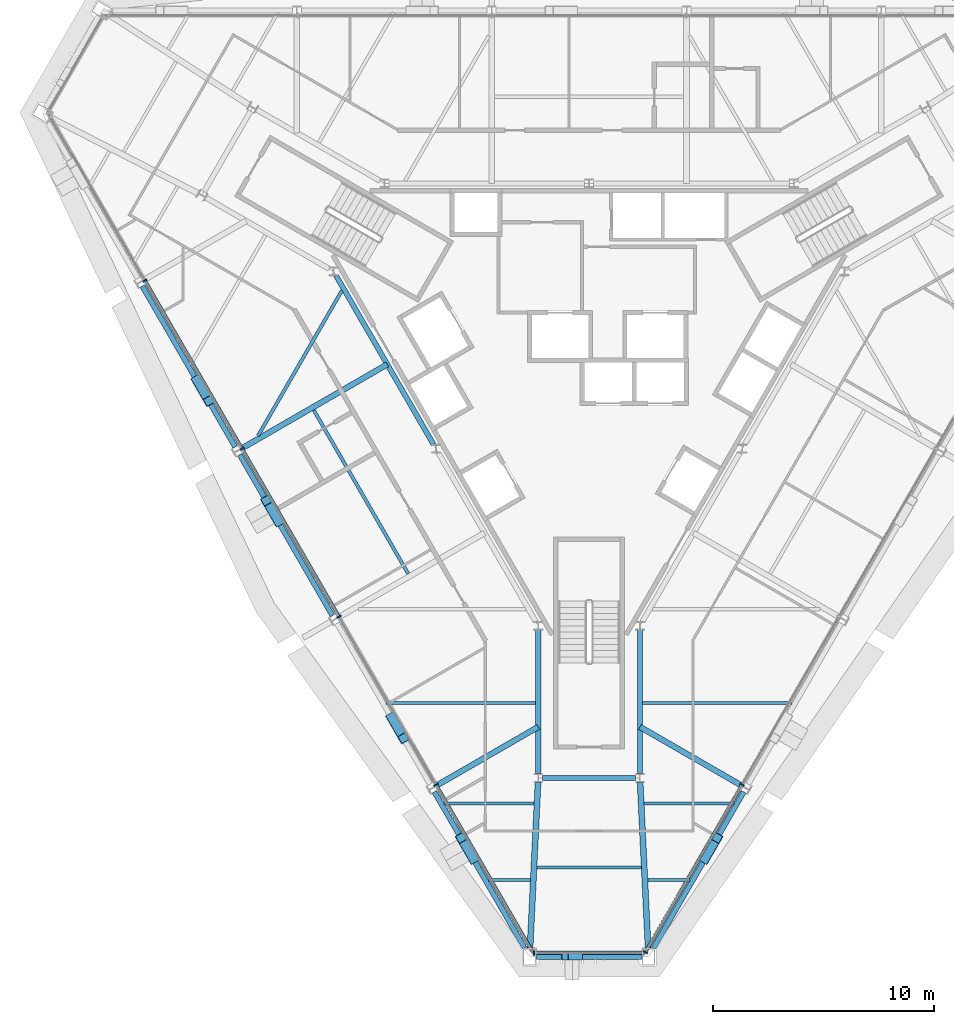
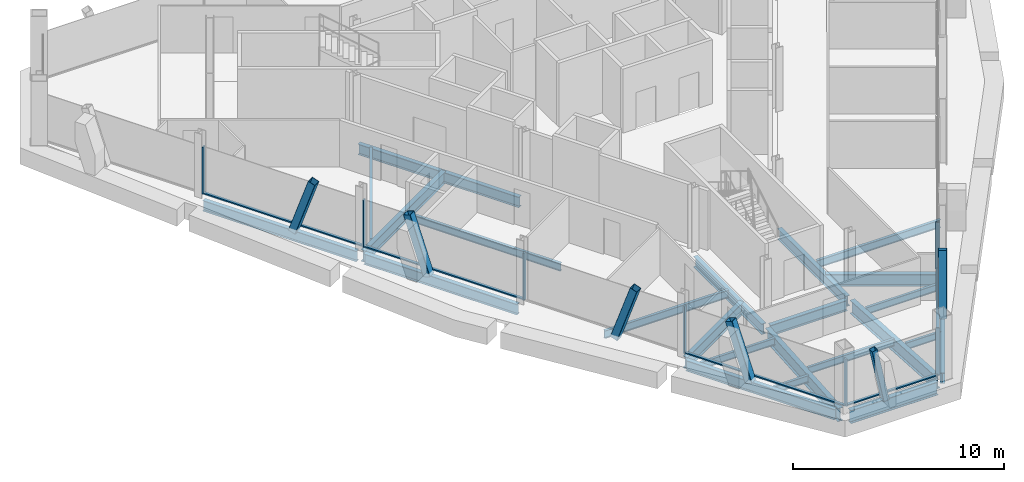
# One storey, part 3 of 14: 23 beams, 18 members, 3 elements without a shape of their own.
"""IFC4 building model written with IfcOpenShell, lengths in metres."""

from ifc_helpers import new_model, si_unit, direction, frame, origin, origin_2d, place, context, subcontext, project, spatial, rectangle, hollow_rectangle, i_section, extrude, material, material_profile, profile_set, type_object, element, aggregate, save


model = new_model("IFC4")

# Units and contexts
model_context = context("Model", 3, precision=1e-05, world=origin(), true_north=direction((0.0, 1.0)))
body_context = subcontext(model_context, "Body", "Model", "MODEL_VIEW")
ifc_project = project(units=[si_unit("LENGTHUNIT", "METRE"), si_unit("AREAUNIT", "SQUARE_METRE"), si_unit("VOLUMEUNIT", "CUBIC_METRE"), si_unit("PLANEANGLEUNIT", "RADIAN"), si_unit("MASSUNIT", "GRAM", prefix="KILO")], contexts=[model_context])

# Site, building, storey
site_placement = place(None, origin())
site = spatial("IfcSite", under=ifc_project, at=site_placement, CompositionType="ELEMENT")
building_placement = place(site_placement, origin())
building = spatial("IfcBuilding", under=site, at=building_placement, Name="Verrane Prism Tower", CompositionType="ELEMENT")
storey_placement = place(building_placement, frame((0.0, 0.0, 221.199951171875)))
storey = spatial("IfcBuildingStorey", under=building, at=storey_placement, Name="L55", CompositionType="ELEMENT", Elevation=221.199951171875)

# Member
ifc_material_1 = material(Name="Steel A500 Grade C", Category="steel")
ifc_material_profile_1 = material_profile(ifc_material_1, hollow_rectangle(XDim=0.3046875, YDim=0.3046875, WallThickness=0.0126953125, InnerFilletRadius=0.00634765625, OuterFilletRadius=0.01904296875, at=origin_2d()), Name="HSS12x12x1/2")
ifc_profile_set_1 = profile_set([ifc_material_profile_1], Name="Steel A500 Grade C")
member_type_1 = type_object("IfcMemberType", Name="Chamfer brace HSS12x12x1/2", PredefinedType="BRACE", material=ifc_profile_set_1)
member_1_placement = place(storey_placement, frame((-0.44580078125, -26.989990234375, -0.242431640625), z_axis=(-0.203343050417, 0.0, 0.97910755479), x_axis=(0.0, -1.0, 0.0)))
element("IfcMember", 1, at=member_1_placement, inside=storey, type_object=member_type_1, Name="Chamfer brace S0 L55", PredefinedType="BRACE", context=body_context, shape_type="SweptSolid", body=[
    extrude(hollow_rectangle(XDim=0.3046875, YDim=0.3046875, WallThickness=0.0126953125, InnerFilletRadius=0.00634765625, OuterFilletRadius=0.01904296875, at=origin_2d()), origin(), (0.0, 0.0, 1.0), 3.174560546875),
])

# Beams
ifc_material_2 = material(Name="Steel A992", Category="steel")
ifc_material_profile_2 = material_profile(ifc_material_2, i_section(OverallWidth=0.2666015625, OverallDepth=0.7568359375, WebThickness=0.013916015625, FlangeThickness=0.019287109375, FilletRadius=0.0166015625, at=origin_2d()), Name="W30x108")
ifc_profile_set_2 = profile_set([ifc_material_profile_2], Name="Steel A992")
beam_type_1 = type_object("IfcBeamType", Name="Chamfer spandrel beam W30x108", PredefinedType="SPANDREL", material=ifc_profile_set_2)
beam_1_placement = place(storey_placement, frame((-2.389892578125, -26.989990234375, -0.538330078125), z_axis=(1.0, 0.0, 0.0), x_axis=(0.0, 1.0, 0.0)))
element("IfcBeam", 2, at=beam_1_placement, inside=storey, type_object=beam_type_1, Name="Chamfer spandrel beam L55", PredefinedType="SPANDREL", context=body_context, shape_type="SweptSolid", body=[
    extrude(i_section(OverallWidth=0.2666015625, OverallDepth=0.7568359375, WebThickness=0.013916015625, FlangeThickness=0.019287109375, FilletRadius=0.0166015625, at=origin_2d()), origin(), (0.0, 0.0, 1.0), 4.77978515625),
])
ifc_material_3 = material(Name="Steel A992", Category="steel")
ifc_material_profile_3 = material_profile(ifc_material_3, i_section(OverallWidth=0.23046875, OverallDepth=0.6171875, WebThickness=0.01318359375, FlangeThickness=0.022216796875, FilletRadius=0.012939453125, at=origin_2d()), Name="W24x94")
ifc_profile_set_3 = profile_set([ifc_material_profile_3], Name="Steel A992")
beam_type_2 = type_object("IfcBeamType", Name="Core ring girder W24x94", PredefinedType="BEAM", material=ifc_profile_set_3)
beam_2_placement = place(storey_placement, frame((-11.448486328125, 3.826904296875, -0.55859375), z_axis=(0.499967007444, -0.866044451208, 0.0), x_axis=(0.866044451208, 0.499967007444, 0.0)))
element("IfcBeam", 3, at=beam_2_placement, inside=storey, type_object=beam_type_2, Name="Core ring girder L55", PredefinedType="BEAM", context=body_context, shape_type="SweptSolid", body=[
    extrude(i_section(OverallWidth=0.23046875, OverallDepth=0.6171875, WebThickness=0.01318359375, FlangeThickness=0.022216796875, FilletRadius=0.012939453125, at=origin_2d()), origin(), (0.0, 0.0, 1.0), 8.814453125),
])
beam_3_placement = place(storey_placement, frame((-2.300048828125, -12.212890625, -0.55859375), z_axis=(0.0, -1.0, 0.0), x_axis=(1.0, 0.0, 0.0)))
element("IfcBeam", 4, at=beam_3_placement, inside=storey, type_object=beam_type_2, Name="Core ring girder L55", PredefinedType="BEAM", context=body_context, shape_type="SweptSolid", body=[
    extrude(i_section(OverallWidth=0.23046875, OverallDepth=0.6171875, WebThickness=0.01318359375, FlangeThickness=0.022216796875, FilletRadius=0.012939453125, at=origin_2d()), origin(), (0.0, 0.0, 1.0), 6.48779296875),
])
beam_4_placement = place(storey_placement, frame((-2.099365234375, -18.89990234375, -0.55859375), z_axis=(1.0, 0.0, 0.0), x_axis=(0.0, 1.0, 0.0)))
element("IfcBeam", 5, at=beam_4_placement, inside=storey, type_object=beam_type_2, Name="Core ring girder L55", PredefinedType="BEAM", context=body_context, shape_type="SweptSolid", body=[
    extrude(i_section(OverallWidth=0.23046875, OverallDepth=0.6171875, WebThickness=0.01318359375, FlangeThickness=0.022216796875, FilletRadius=0.012939453125, at=origin_2d()), origin(), (0.0, 0.0, 1.0), 4.19873046875),
])
beam_5_placement = place(storey_placement, frame((2.300048828125, -18.70068359375, -0.55859375), z_axis=(0.0, 1.0, 0.0), x_axis=(-1.0, 0.0, 0.0)))
element("IfcBeam", 6, at=beam_5_placement, inside=storey, type_object=beam_type_2, Name="Core ring girder L55", PredefinedType="BEAM", context=body_context, shape_type="SweptSolid", body=[
    extrude(i_section(OverallWidth=0.23046875, OverallDepth=0.6171875, WebThickness=0.01318359375, FlangeThickness=0.022216796875, FilletRadius=0.012939453125, at=origin_2d()), origin(), (0.0, 0.0, 1.0), 6.48779296875),
])
ifc_material_4 = material(Name="Steel A992", Category="steel")
ifc_material_profile_4 = material_profile(ifc_material_4, i_section(OverallWidth=0.2666015625, OverallDepth=0.76708984375, WebThickness=0.014892578125, FlangeThickness=0.023681640625, FilletRadius=0.0166015625, at=origin_2d()), Name="W30x124")
ifc_profile_set_4 = profile_set([ifc_material_profile_4], Name="Steel A992")
beam_type_3 = type_object("IfcBeamType", Name="Corner girder W30x124", PredefinedType="BEAM", material=ifc_profile_set_4)
for number, where, z_axis, x_axis, name in (
    (7, (-2.670654296875, -26.590087890625, -0.603515625), (0.048148251624, 0.998840200365, 0.0), (-0.998840200365, 0.048148251624, 0.0), "Corner girder L55"),
    (8, (2.670654296875, -26.590087890625, -0.603515625), (-0.048148251624, 0.998840200365, 0.0), (-0.998840200365, -0.048148251624, 0.0), "Corner girder L55"),
):
    element("IfcBeam", number, at=place(storey_placement, frame(where, z_axis=z_axis, x_axis=x_axis)), inside=storey, type_object=beam_type_3, Name=name, PredefinedType="BEAM", context=body_context, shape_type="SweptSolid", body=[
        extrude(i_section(OverallWidth=0.2666015625, OverallDepth=0.76708984375, WebThickness=0.014892578125, FlangeThickness=0.023681640625, FilletRadius=0.0166015625, at=origin_2d()), origin(), (0.0, 0.0, 1.0), 7.49951171875),
    ])

# Members
ifc_material_5 = material(Name="Steel A500 Grade C", Category="steel")
ifc_material_profile_5 = material_profile(ifc_material_5, hollow_rectangle(XDim=0.406494140625, YDim=0.406494140625, WallThickness=0.01904296875, InnerFilletRadius=0.009521484375, OuterFilletRadius=0.028564453125, at=origin_2d()), Name="HSS16x16x3/4")
ifc_profile_set_5 = profile_set([ifc_material_profile_5], Name="Steel A500 Grade C")
member_type_2 = type_object("IfcMemberType", Name="Facade brace HSS16x16x3/4", PredefinedType="BRACE", material=ifc_profile_set_5)
member_2_placement = place(storey_placement, frame((-17.757080078125, -0.904296875, -0.216552734375), z_axis=(0.161195573592, -0.278856048349, 0.946707606051), x_axis=(0.865759151662, 0.500460878904, 0.0)))
element("IfcMember", 9, at=member_2_placement, inside=storey, type_object=member_type_2, Name="Facade brace SW1 L55", PredefinedType="BRACE", context=body_context, shape_type="SweptSolid", body=[
    extrude(hollow_rectangle(XDim=0.406494140625, YDim=0.406494140625, WallThickness=0.01904296875, InnerFilletRadius=0.009521484375, OuterFilletRadius=0.028564453125, at=origin_2d()), origin(), (0.0, 0.0, 1.0), 3.3759765625),
])
member_3_placement = place(storey_placement, frame((-14.067138671875, -7.2958984375, -0.216552734375), z_axis=(-0.160840106814, 0.278938980208, 0.946743632332), x_axis=(-0.866301479864, -0.499521517039, 0.0)))
element("IfcMember", 10, at=member_3_placement, inside=storey, type_object=member_type_2, Name="Facade brace SW2 L55", PredefinedType="BRACE", context=body_context, shape_type="SweptSolid", body=[
    extrude(hollow_rectangle(XDim=0.406494140625, YDim=0.406494140625, WallThickness=0.01904296875, InnerFilletRadius=0.009521484375, OuterFilletRadius=0.028564453125, at=origin_2d()), origin(), (0.0, 0.0, 1.0), 3.375732421875),
])
for number, where, z_axis, x_axis, name in (
    (11, (-8.947021484375, -16.164306640625, -0.216552734375), (0.161195573592, -0.278856048349, 0.946707606051), (0.865759151662, 0.500460878904, 0.0), "Facade brace SW3 L55"),
    (12, (-5.2529296875, -22.555908203125, -0.216552734375), (-0.161192322573, 0.278922740316, 0.9466885127), (-0.865815369445, -0.500363613817, 0.0), "Facade brace SW4 L55"),
    (13, (5.2529296875, -22.555908203125, -0.216552734375), (0.161192322573, 0.278922740316, 0.9466885127), (-0.865815369445, 0.500363613817, 0.0), "Facade brace SE0 L55"),
):
    element("IfcMember", number, at=place(storey_placement, frame(where, z_axis=z_axis, x_axis=x_axis)), inside=storey, type_object=member_type_2, Name=name, PredefinedType="BRACE", context=body_context, shape_type="SweptSolid", body=[
        extrude(hollow_rectangle(XDim=0.406494140625, YDim=0.406494140625, WallThickness=0.01904296875, InnerFilletRadius=0.009521484375, OuterFilletRadius=0.028564453125, at=origin_2d()), origin(), (0.0, 0.0, 1.0), 3.3759765625),
    ])

# Beams
ifc_material_6 = material(Name="Steel A992", Category="steel")
ifc_material_profile_6 = material_profile(ifc_material_6, i_section(OverallWidth=0.140380859375, OverallDepth=0.40380859375, WebThickness=0.007080078125, FlangeThickness=0.01123046875, FilletRadius=0.01025390625, at=origin_2d()), Name="W16x31")
ifc_profile_set_6 = profile_set([ifc_material_profile_6], Name="Steel A992")
beam_type_4 = type_object("IfcBeamType", Name="Floor beam W16x31", PredefinedType="BEAM", material=ifc_profile_set_6)
beam_6_placement = place(storey_placement, frame((-4.560791015625, -23.523193359375, -0.36181640625), z_axis=(1.0, 0.0, 0.0), x_axis=(0.0, 1.0, 0.0)))
element("IfcBeam", 14, at=beam_6_placement, inside=storey, type_object=beam_type_4, Name="Floor beam L55", PredefinedType="BEAM", context=body_context, shape_type="SweptSolid", body=[
    extrude(i_section(OverallWidth=0.140380859375, OverallDepth=0.40380859375, WebThickness=0.007080078125, FlangeThickness=0.01123046875, FilletRadius=0.01025390625, at=origin_2d()), origin(), (0.0, 0.0, 1.0), 1.904296875),
])
beam_7_placement = place(storey_placement, frame((-6.564453125, -20.056640625, -0.36181640625), z_axis=(1.0, 0.0, 0.0), x_axis=(0.0, 1.0, 0.0)))
element("IfcBeam", 15, at=beam_7_placement, inside=storey, type_object=beam_type_4, Name="Floor beam L55", PredefinedType="BEAM", context=body_context, shape_type="SweptSolid", body=[
    extrude(i_section(OverallWidth=0.140380859375, OverallDepth=0.40380859375, WebThickness=0.007080078125, FlangeThickness=0.01123046875, FilletRadius=0.01025390625, at=origin_2d()), origin(), (0.0, 0.0, 1.0), 4.074951171875),
])
beam_8_placement = place(storey_placement, frame((2.656494140625, -23.523193359375, -0.36181640625), z_axis=(1.0, 0.0, 0.0), x_axis=(0.0, 1.0, 0.0)))
element("IfcBeam", 16, at=beam_8_placement, inside=storey, type_object=beam_type_4, Name="Floor beam L55", PredefinedType="BEAM", context=body_context, shape_type="SweptSolid", body=[
    extrude(i_section(OverallWidth=0.140380859375, OverallDepth=0.40380859375, WebThickness=0.007080078125, FlangeThickness=0.01123046875, FilletRadius=0.01025390625, at=origin_2d()), origin(), (0.0, 0.0, 1.0), 1.904296875),
])
beam_9_placement = place(storey_placement, frame((2.489501953125, -20.056640625, -0.36181640625), z_axis=(1.0, 0.0, 0.0), x_axis=(0.0, 1.0, 0.0)))
element("IfcBeam", 17, at=beam_9_placement, inside=storey, type_object=beam_type_4, Name="Floor beam L55", PredefinedType="BEAM", context=body_context, shape_type="SweptSolid", body=[
    extrude(i_section(OverallWidth=0.140380859375, OverallDepth=0.40380859375, WebThickness=0.007080078125, FlangeThickness=0.01123046875, FilletRadius=0.01025390625, at=origin_2d()), origin(), (0.0, 0.0, 1.0), 4.074951171875),
])
beam_10_placement = place(storey_placement, frame((-2.361328125, -22.945068359375, -0.36181640625), z_axis=(1.0, 0.0, 0.0), x_axis=(0.0, 1.0, 0.0)))
element("IfcBeam", 18, at=beam_10_placement, inside=storey, type_object=beam_type_4, Name="Floor beam L55", PredefinedType="BEAM", context=body_context, shape_type="SweptSolid", body=[
    extrude(i_section(OverallWidth=0.140380859375, OverallDepth=0.40380859375, WebThickness=0.007080078125, FlangeThickness=0.01123046875, FilletRadius=0.01025390625, at=origin_2d()), origin(), (0.0, 0.0, 1.0), 4.72265625),
])
ifc_material_7 = material(Name="Steel A992", Category="steel")
ifc_material_profile_7 = material_profile(ifc_material_7, i_section(OverallWidth=0.15234375, OverallDepth=0.449462890625, WebThickness=0.007568359375, FlangeThickness=0.0107421875, FilletRadius=0.01025390625, at=origin_2d()), Name="W18x35")
ifc_profile_set_7 = profile_set([ifc_material_profile_7], Name="Steel A992")
beam_type_5 = type_object("IfcBeamType", Name="Floor beam W18x35", PredefinedType="BEAM", material=ifc_profile_set_7)
beam_11_placement = place(storey_placement, frame((-14.9755859375, -3.414306640625, -0.384765625), z_axis=(0.500014461485, 0.866017054281, 0.0), x_axis=(-0.866017054281, 0.500014461485, 0.0)))
element("IfcBeam", 19, at=beam_11_placement, inside=storey, type_object=beam_type_5, Name="Floor beam L55", PredefinedType="BEAM", context=body_context, shape_type="SweptSolid", body=[
    extrude(i_section(OverallWidth=0.15234375, OverallDepth=0.449462890625, WebThickness=0.007568359375, FlangeThickness=0.0107421875, FilletRadius=0.01025390625, at=origin_2d()), origin(), (0.0, 0.0, 1.0), 7.574951171875),
])
beam_12_placement = place(storey_placement, frame((-8.18359375, -9.659912109375, -0.384765625), z_axis=(-0.500005905661, 0.866021994122, 0.0), x_axis=(-0.866021994122, -0.500005905661, 0.0)))
element("IfcBeam", 20, at=beam_12_placement, inside=storey, type_object=beam_type_5, Name="Floor beam L55", PredefinedType="BEAM", context=body_context, shape_type="SweptSolid", body=[
    extrude(i_section(OverallWidth=0.15234375, OverallDepth=0.449462890625, WebThickness=0.007568359375, FlangeThickness=0.0107421875, FilletRadius=0.01025390625, at=origin_2d()), origin(), (0.0, 0.0, 1.0), 8.54931640625),
])
for number, where, z_axis, x_axis, name in (
    (21, (-9.1923828125, -15.510009765625, -0.384765625), (1.0, 0.0, 0.0), (0.0, 1.0, 0.0), "Floor beam L55"),
    (22, (2.4150390625, -15.510009765625, -0.384765625), (1.0, 0.0, 0.0), (0.0, 1.0, 0.0), "Floor beam L55"),
):
    element("IfcBeam", number, at=place(storey_placement, frame(where, z_axis=z_axis, x_axis=x_axis)), inside=storey, type_object=beam_type_5, Name=name, PredefinedType="BEAM", context=body_context, shape_type="SweptSolid", body=[
        extrude(i_section(OverallWidth=0.15234375, OverallDepth=0.449462890625, WebThickness=0.007568359375, FlangeThickness=0.0107421875, FilletRadius=0.01025390625, at=origin_2d()), origin(), (0.0, 0.0, 1.0), 6.77734375),
    ])

# Curtain wall, members
ifc_material_8 = material(Name="Aluminium framed insulated glazing", Category="aluminium")
curtain_wall_type = type_object("IfcCurtainWallType", Name="Curtain wall CW-A 8400 module", PredefinedType="NOTDEFINED", material=ifc_material_8)
curtain_wall_1_placement = place(storey_placement, origin())
curtain_wall_1 = element("IfcCurtainWall", 23, at=curtain_wall_1_placement, inside=storey, type_object=curtain_wall_type, Name="Glazed curtain wall south-west face L55", PredefinedType="NOTDEFINED")
ifc_material_9 = material(Name="Aluminium alloy 6063-T6", Category="aluminium")
ifc_material_profile_8 = material_profile(ifc_material_9, rectangle(XDim=0.199951171875, YDim=0.070068359375, at=origin_2d()), Name="Mullion 70x200 aluminium")
ifc_profile_set_8 = profile_set([ifc_material_profile_8], Name="Aluminium alloy 6063-T6")
member_type_3 = type_object("IfcMemberType", Name="Mullion 70x200 aluminium", PredefinedType="MULLION", material=ifc_profile_set_8)
member_4_placement = place(storey_placement, frame((-20.09814453125, 3.607421875, 0.0), z_axis=(0.0, 0.0, 1.0), x_axis=(0.866024862365, 0.500000937764, 0.0)))
member_4 = element("IfcMember", 24, at=member_4_placement, type_object=member_type_3, Name="CW54.4 mullion 2", PredefinedType="MULLION", context=body_context, shape_type="SweptSolid", body=[
    extrude(rectangle(XDim=0.199951171875, YDim=0.070068359375, at=origin_2d()), origin(), (0.0, 0.0, 1.0), 2.712890625),
])
member_5_placement = place(storey_placement, frame((-15.70703125, -3.998046875, 0.0), z_axis=(0.0, 0.0, 1.0), x_axis=(0.866024862365, 0.500000937764, 0.0)))
member_5 = element("IfcMember", 25, at=member_5_placement, type_object=member_type_3, Name="CW54.4 mullion 3", PredefinedType="MULLION", context=body_context, shape_type="SweptSolid", body=[
    extrude(rectangle(XDim=0.199951171875, YDim=0.070068359375, at=origin_2d()), origin(), (0.0, 0.0, 1.0), 2.712890625),
])
member_6_placement = place(storey_placement, frame((-11.31591796875, -11.603759765625, 0.0), z_axis=(0.0, 0.0, 1.0), x_axis=(0.866024862365, 0.500000937764, 0.0)))
member_6 = element("IfcMember", 26, at=member_6_placement, type_object=member_type_3, Name="CW54.4 mullion 4", PredefinedType="MULLION", context=body_context, shape_type="SweptSolid", body=[
    extrude(rectangle(XDim=0.199951171875, YDim=0.070068359375, at=origin_2d()), origin(), (0.0, 0.0, 1.0), 2.712890625),
])
member_7_placement = place(storey_placement, frame((-6.925048828125, -19.209228515625, 0.0), z_axis=(0.0, 0.0, 1.0), x_axis=(0.866024862365, 0.500000937764, 0.0)))
member_7 = element("IfcMember", 27, at=member_7_placement, type_object=member_type_3, Name="CW54.4 mullion 5", PredefinedType="MULLION", context=body_context, shape_type="SweptSolid", body=[
    extrude(rectangle(XDim=0.199951171875, YDim=0.070068359375, at=origin_2d()), origin(), (0.0, 0.0, 1.0), 2.712890625),
])

# Curtain wall, member
curtain_wall_2_placement = place(storey_placement, origin())
curtain_wall_2 = element("IfcCurtainWall", 28, at=curtain_wall_2_placement, inside=storey, type_object=curtain_wall_type, Name="Glazed curtain wall south corner L55", PredefinedType="NOTDEFINED")
member_8_placement = place(storey_placement, frame((-2.498779296875, -26.814697265625, 0.0), z_axis=(0.0, 0.0, 1.0), x_axis=(0.0, 1.0, 0.0)))
member_8 = element("IfcMember", 29, at=member_8_placement, type_object=member_type_3, Name="CW54.5 mullion 1", PredefinedType="MULLION", context=body_context, shape_type="SweptSolid", body=[
    extrude(rectangle(XDim=0.199951171875, YDim=0.070068359375, at=origin_2d()), origin(), (0.0, 0.0, 1.0), 2.712890625),
])

# Curtain wall, members
curtain_wall_3_placement = place(storey_placement, origin())
curtain_wall_3 = element("IfcCurtainWall", 30, at=curtain_wall_3_placement, inside=storey, type_object=curtain_wall_type, Name="Glazed curtain wall south-east face L55", PredefinedType="NOTDEFINED")
member_9_placement = place(storey_placement, frame((2.551513671875, -26.784423828125, 0.0), z_axis=(0.0, 0.0, 1.0), x_axis=(-0.866024862365, 0.500000937764, 0.0)))
member_9 = element("IfcMember", 31, at=member_9_placement, type_object=member_type_3, Name="CW54.6 mullion 1", PredefinedType="MULLION", context=body_context, shape_type="SweptSolid", body=[
    extrude(rectangle(XDim=0.199951171875, YDim=0.070068359375, at=origin_2d()), origin(), (0.0, 0.0, 1.0), 2.712890625),
])
member_10_placement = place(storey_placement, frame((6.925048828125, -19.209228515625, 0.0), z_axis=(0.0, 0.0, 1.0), x_axis=(-0.866024862365, 0.500000937764, 0.0)))
member_10 = element("IfcMember", 32, at=member_10_placement, type_object=member_type_3, Name="CW54.6 mullion 2", PredefinedType="MULLION", context=body_context, shape_type="SweptSolid", body=[
    extrude(rectangle(XDim=0.199951171875, YDim=0.070068359375, at=origin_2d()), origin(), (0.0, 0.0, 1.0), 2.712890625),
])

# Beams
ifc_material_10 = material(Name="Steel A992", Category="steel")
ifc_material_profile_9 = material_profile(ifc_material_10, i_section(OverallWidth=0.25390625, OverallDepth=0.683349609375, WebThickness=0.012451171875, FlangeThickness=0.01904296875, FilletRadius=0.01513671875, at=origin_2d()), Name="W27x94")
ifc_profile_set_9 = profile_set([ifc_material_profile_9], Name="Steel A992")
beam_type_6 = type_object("IfcBeamType", Name="Radial girder W27x94", PredefinedType="BEAM", material=ifc_profile_set_9)
beam_13_placement = place(storey_placement, frame((-15.7373046875, -4.000244140625, -0.5615234375), z_axis=(0.86603047963, 0.499991208275, 0.0), x_axis=(-0.499991208275, 0.86603047963, 0.0)))
element("IfcBeam", 33, at=beam_13_placement, inside=storey, type_object=beam_type_6, Name="Radial girder L55", PredefinedType="BEAM", context=body_context, shape_type="SweptSolid", body=[
    extrude(i_section(OverallWidth=0.25390625, OverallDepth=0.683349609375, WebThickness=0.012451171875, FlangeThickness=0.01904296875, FilletRadius=0.01513671875, at=origin_2d()), origin(), (0.0, 0.0, 1.0), 7.627685546875),
])
for number, where, z_axis, x_axis, name in (
    (34, (-6.92724609375, -19.26025390625, -0.5615234375), (0.866015899669, 0.50001646125, 0.0), (-0.50001646125, 0.866015899669, 0.0), "Radial girder L55"),
    (35, (6.92724609375, -19.26025390625, -0.5615234375), (-0.866015899669, 0.50001646125, 0.0), (-0.50001646125, -0.866015899669, 0.0), "Radial girder L55"),
):
    element("IfcBeam", number, at=place(storey_placement, frame(where, z_axis=z_axis, x_axis=x_axis)), inside=storey, type_object=beam_type_6, Name=name, PredefinedType="BEAM", context=body_context, shape_type="SweptSolid", body=[
        extrude(i_section(OverallWidth=0.25390625, OverallDepth=0.683349609375, WebThickness=0.012451171875, FlangeThickness=0.01904296875, FilletRadius=0.01513671875, at=origin_2d()), origin(), (0.0, 0.0, 1.0), 5.343017578125),
    ])
ifc_material_11 = material(Name="Steel A992", Category="steel")
ifc_material_profile_10 = material_profile(ifc_material_11, i_section(OverallWidth=0.23046875, OverallDepth=0.6171875, WebThickness=0.01318359375, FlangeThickness=0.022216796875, FilletRadius=0.012939453125, at=origin_2d()), Name="W24x94")
ifc_profile_set_10 = profile_set([ifc_material_profile_10], Name="Steel A992")
beam_type_7 = type_object("IfcBeamType", Name="Spandrel beam W24x94", PredefinedType="SPANDREL", material=ifc_profile_set_10)
beam_14_placement = place(storey_placement, frame((-20.219482421875, 3.356201171875, -0.468505859375), z_axis=(0.500396552915, -0.865796332766, 0.0), x_axis=(0.865796332766, 0.500396552915, 0.0)))
element("IfcBeam", 36, at=beam_14_placement, inside=storey, type_object=beam_type_7, Name="Spandrel beam L55", PredefinedType="SPANDREL", context=body_context, shape_type="SweptSolid", body=[
    extrude(i_section(OverallWidth=0.23046875, OverallDepth=0.6171875, WebThickness=0.01318359375, FlangeThickness=0.022216796875, FilletRadius=0.012939453125, at=origin_2d()), origin(), (0.0, 0.0, 1.0), 8.411376953125),
])
beam_15_placement = place(storey_placement, frame((-15.809814453125, -4.273681640625, -0.468505859375), z_axis=(0.499569084189, -0.866274050242, 0.0), x_axis=(0.866274050242, 0.499569084189, 0.0)))
element("IfcBeam", 37, at=beam_15_placement, inside=storey, type_object=beam_type_7, Name="Spandrel beam L55", PredefinedType="SPANDREL", context=body_context, shape_type="SweptSolid", body=[
    extrude(i_section(OverallWidth=0.23046875, OverallDepth=0.6171875, WebThickness=0.01318359375, FlangeThickness=0.022216796875, FilletRadius=0.012939453125, at=origin_2d()), origin(), (0.0, 0.0, 1.0), 8.40673828125),
])
for number, where, z_axis, x_axis, name in (
    (38, (-6.99951171875, -19.53369140625, -0.468505859375), (0.500400862537, -0.865793841958, 0.0), (0.865793841958, 0.500400862537, 0.0), "Spandrel beam L55"),
    (39, (2.921142578125, -26.590087890625, -0.468505859375), (0.500400862537, 0.865793841958, 0.0), (-0.865793841958, 0.500400862537, 0.0), "Spandrel beam L55"),
):
    element("IfcBeam", number, at=place(storey_placement, frame(where, z_axis=z_axis, x_axis=x_axis)), inside=storey, type_object=beam_type_7, Name=name, PredefinedType="SPANDREL", context=body_context, shape_type="SweptSolid", body=[
        extrude(i_section(OverallWidth=0.23046875, OverallDepth=0.6171875, WebThickness=0.01318359375, FlangeThickness=0.022216796875, FilletRadius=0.012939453125, at=origin_2d()), origin(), (0.0, 0.0, 1.0), 8.150146484375),
    ])

# Member
ifc_material_12 = material(Name="Aluminium alloy 6063-T6", Category="aluminium")
ifc_material_profile_11 = material_profile(ifc_material_12, rectangle(XDim=0.14990234375, YDim=0.070068359375, at=origin_2d()), Name="Transom 70x150 aluminium")
ifc_profile_set_11 = profile_set([ifc_material_profile_11], Name="Aluminium alloy 6063-T6")
member_type_4 = type_object("IfcMemberType", Name="Transom 70x150 aluminium", PredefinedType="USERDEFINED", material=ifc_profile_set_11)
member_11_placement = place(storey_placement, frame((-20.08056640625, 3.5771484375, 0.03515625), z_axis=(0.499990905326, -0.866030654533, 0.0), x_axis=(0.866030654533, 0.499990905326, 0.0)))
member_11 = element("IfcMember", 40, at=member_11_placement, type_object=member_type_4, Name="CW54.4 transom 2", ObjectType="TRANSOM", PredefinedType="USERDEFINED", context=body_context, shape_type="SweptSolid", body=[
    extrude(rectangle(XDim=0.14990234375, YDim=0.070068359375, at=origin_2d()), origin(), (0.0, 0.0, 1.0), 8.712158203125),
])

member_12_placement = place(storey_placement, frame((-15.689697265625, -4.028564453125, 0.03515625), z_axis=(0.500024057273, -0.866011513866, 0.0), x_axis=(0.866011513866, 0.500024057273, 0.0)))
member_12 = element("IfcMember", 41, at=member_12_placement, type_object=member_type_4, Name="CW54.4 transom 3", ObjectType="TRANSOM", PredefinedType="USERDEFINED", context=body_context, shape_type="SweptSolid", body=[
    extrude(rectangle(XDim=0.14990234375, YDim=0.070068359375, at=origin_2d()), origin(), (0.0, 0.0, 1.0), 8.7119140625),
])

member_13_placement = place(storey_placement, frame((-6.907470703125, -19.239501953125, 0.03515625), z_axis=(0.499999494409, -0.866025695687, 0.0), x_axis=(0.866025695687, 0.499999494409, 0.0)))
member_13 = element("IfcMember", 42, at=member_13_placement, type_object=member_type_4, Name="CW54.4 transom 5", ObjectType="TRANSOM", PredefinedType="USERDEFINED", context=body_context, shape_type="SweptSolid", body=[
    extrude(rectangle(XDim=0.14990234375, YDim=0.070068359375, at=origin_2d()), origin(), (0.0, 0.0, 1.0), 8.7470703125),
])

aggregate(curtain_wall_1, [member_4, member_5, member_6, member_7, member_11, member_12, member_13])

member_14_placement = place(storey_placement, frame((-2.4638671875, -26.814697265625, 0.03515625), z_axis=(1.0, 0.0, 0.0), x_axis=(0.0, 1.0, 0.0)))
member_14 = element("IfcMember", 43, at=member_14_placement, type_object=member_type_4, Name="CW54.5 transom 1", ObjectType="TRANSOM", PredefinedType="USERDEFINED", context=body_context, shape_type="SweptSolid", body=[
    extrude(rectangle(XDim=0.14990234375, YDim=0.070068359375, at=origin_2d()), origin(), (0.0, 0.0, 1.0), 4.997802734375),
])

aggregate(curtain_wall_2, [member_8, member_14])

member_15_placement = place(storey_placement, frame((2.56884765625, -26.754150390625, 0.03515625), z_axis=(0.500003349176, 0.866023470128, 0.0), x_axis=(-0.866023470128, 0.500003349176, 0.0)))
member_15 = element("IfcMember", 44, at=member_15_placement, type_object=member_type_4, Name="CW54.6 transom 1", ObjectType="TRANSOM", PredefinedType="USERDEFINED", context=body_context, shape_type="SweptSolid", body=[
    extrude(rectangle(XDim=0.14990234375, YDim=0.070068359375, at=origin_2d()), origin(), (0.0, 0.0, 1.0), 8.67724609375),
])

aggregate(curtain_wall_3, [member_9, member_10, member_15])

save(model, "model.ifc")
